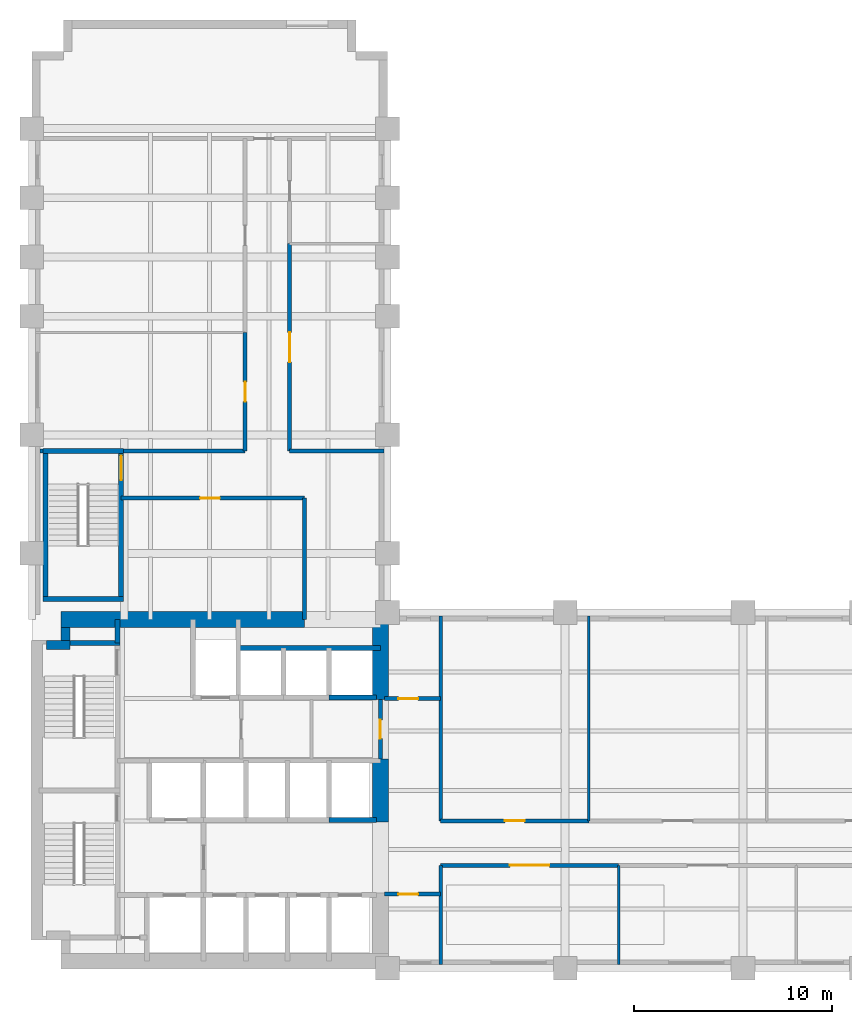
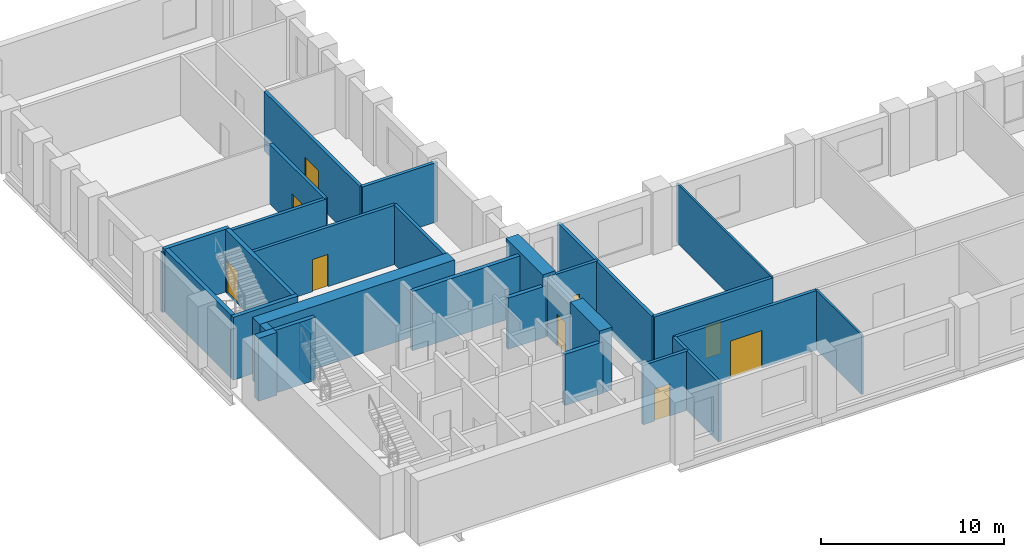
# One storey, part 4 of 7: 30 walls, 9 doors, 9 openings.
"""IFC4 building model written with IfcOpenShell, lengths in metres."""

import ifcopenshell
import ifcopenshell.guid

model = None  # the IFC model being written
_history = None  # IfcOwnerHistory: only IFC2X3 demands one
_inside = {}  # id of a spatial element -> (the spatial element, [elements in it])
_under = {}  # id of a project, library or spatial element -> (it, [spatial elements below it])
_declared = {}  # id of a project -> (the project, [libraries it declares])
_typed = {}  # id of a type object -> (the type object, [elements of that type])
_made_of = {}  # id of a material, layer set ... -> (it, [elements and type objects made of it])


def new_model(schema):
    """Start an empty IFC model of exactly this schema.

    Asked for "IFC4X3", IfcOpenShell would pick the latest addendum, in which some entities
    have other attributes; the version numbers below select the first issue.
    IFC2X3 requires an IfcOwnerHistory on every rooted entity: one is made here for all.
    """
    global model, _history
    if schema == "IFC4X3":
        model = ifcopenshell.file(schema_version=(4, 3, 0, 0))
    else:
        model = ifcopenshell.file(schema=schema)
    _inside.clear()
    _under.clear()
    _declared.clear()
    _typed.clear()
    _made_of.clear()
    _history = None
    if model.schema == "IFC2X3":
        org = make("IfcOrganization", Name="unknown")
        user = make(
            "IfcPersonAndOrganization",
            ThePerson=make("IfcPerson", FamilyName="unknown"),
            TheOrganization=org,
        )
        app = make(
            "IfcApplication",
            ApplicationDeveloper=org,
            Version="unknown",
            ApplicationFullName="unknown",
            ApplicationIdentifier="unknown",
        )
        _history = make(
            "IfcOwnerHistory",
            OwningUser=user,
            OwningApplication=app,
            ChangeAction="ADDED",
            CreationDate=0,
        )
    return model


def make(cls, **values):
    """One entity of the class cls with the attributes given. An attribute that is None is left unset."""
    return model.create_entity(
        cls, **{name: value for name, value in values.items() if value is not None}
    )


def rooted(cls, **values):
    """An entity with a GlobalId (a new one), such as an element, a storey or a relation."""
    return make(cls, GlobalId=ifcopenshell.guid.new(), OwnerHistory=_history, **values)


def si_unit(unit_type, name, prefix=None):
    """IfcSIUnit, for example si_unit("LENGTHUNIT", "METRE", prefix="MILLI")."""
    return make("IfcSIUnit", UnitType=unit_type, Prefix=prefix, Name=name)


def assignment(units):
    """IfcUnitAssignment: the units of a project."""
    return None if units is None else make("IfcUnitAssignment", Units=units)


def point(xyz):
    """IfcCartesianPoint."""
    return None if xyz is None else make("IfcCartesianPoint", Coordinates=xyz)


def direction(xyz):
    """IfcDirection."""
    return None if xyz is None else make("IfcDirection", DirectionRatios=xyz)


def frame(location, z_axis=None, x_axis=None):
    """IfcAxis2Placement3D, a coordinate frame: its origin and axes. An axis left out is left unset."""
    return make(
        "IfcAxis2Placement3D",
        Location=point(location),
        Axis=direction(z_axis),
        RefDirection=direction(x_axis),
    )


def frame_2d(location, x_axis=None):
    """IfcAxis2Placement2D, a coordinate frame in the plane: its origin and x axis."""
    return make(
        "IfcAxis2Placement2D", Location=point(location), RefDirection=direction(x_axis)
    )


def origin():
    """The frame at (0, 0, 0) with its axes left unset."""
    return frame((0.0, 0.0, 0.0))


def place(relative_to, where):
    """IfcLocalPlacement: puts the frame where relative to a parent placement (None: the world)."""
    return make(
        "IfcLocalPlacement", PlacementRelTo=relative_to, RelativePlacement=where
    )


def context(
    kind, dimensions, precision=None, world=None, true_north=None, identifier=None
):
    """IfcGeometricRepresentationContext, for example the 3D "Model" context."""
    return make(
        "IfcGeometricRepresentationContext",
        ContextIdentifier=identifier,
        ContextType=kind,
        CoordinateSpaceDimension=dimensions,
        Precision=precision,
        WorldCoordinateSystem=world,
        TrueNorth=true_north,
    )


def subcontext(parent, identifier, kind, view, scale=None):
    """IfcGeometricRepresentationSubContext, for example "Body" below "Model"."""
    return make(
        "IfcGeometricRepresentationSubContext",
        ContextIdentifier=identifier,
        ContextType=kind,
        ParentContext=parent,
        TargetScale=scale,
        TargetView=view,
    )


def project(units=None, contexts=None):
    """IfcProject with its units and contexts."""
    return rooted(
        "IfcProject",
        Name="project",
        RepresentationContexts=contexts,
        UnitsInContext=assignment(units),
    )


def spatial(cls, under=None, at=None, **own):
    """A site, building, storey or space (cls), placed at a placement, below another one or the project."""
    s = rooted(cls, ObjectPlacement=at, **own)
    if under is not None:
        _under.setdefault(under.id(), (under, []))[1].append(s)
    return s


def profile(cls, at=None, kind="AREA", **sizes):
    """A parametric profile (cls). Its sizes go by their IFC names, for example OverallWidth=200.0."""
    return make(cls, ProfileType=kind, Position=at, **sizes)


def rectangle(**sizes):
    """IfcRectangleProfileDef."""
    return profile("IfcRectangleProfileDef", **sizes)


def extrude(swept, where, along, depth):
    """IfcExtrudedAreaSolid: the profile swept, set in the frame where, extruded along a direction by depth."""
    return make(
        "IfcExtrudedAreaSolid",
        SweptArea=swept,
        Position=where,
        ExtrudedDirection=direction(along),
        Depth=depth,
    )


def shape(context_of_items, identifier, shape_type, items):
    """IfcShapeRepresentation: the items that make up one representation, for example the "Body"."""
    return make(
        "IfcShapeRepresentation",
        ContextOfItems=context_of_items,
        RepresentationIdentifier=identifier,
        RepresentationType=shape_type,
        Items=items,
    )


def material(Name=None, Category=None):
    """IfcMaterial."""
    return make("IfcMaterial", Name=Name, Category=Category)


def layer(
    of_material, thickness, ventilated=None, Name=None, Category=None, Priority=None
):
    """IfcMaterialLayer: one layer of a wall or slab, of a material (None: an air gap)."""
    return make(
        "IfcMaterialLayer",
        Material=of_material,
        LayerThickness=thickness,
        IsVentilated=ventilated,
        Name=Name,
        Category=Category,
        Priority=Priority,
    )


def layer_set(layers, Name=None):
    """IfcMaterialLayerSet."""
    return make("IfcMaterialLayerSet", MaterialLayers=layers, LayerSetName=Name)


def made_of(thing, what):
    """Note that an element or type object is made of a material, layer set ...; save() writes the relation."""
    if what is not None:
        _made_of.setdefault(what.id(), (what, []))[1].append(thing)
    return thing


def type_object(cls, material=None, **own):
    """A type object (cls), such as IfcWallType, which elements share."""
    return made_of(rooted(cls, **own), material)


def element(
    cls,
    number,
    at=None,
    inside=None,
    cuts=None,
    type_object=None,
    material=None,
    context=None,
    identifier="Body",
    shape_type=None,
    held_by="IfcProductDefinitionShape",
    body=None,
    shapes=None,
    **own,
):
    """One element of the class cls, such as IfcWall. Its Tag is "e" and its number.

    at: its placement. inside: the storey or other place that contains it. cuts: it is an
    opening in that element (IfcRelVoidsElement). A single representation is given by context,
    identifier, shape_type and body (its items); several are given by shapes. held_by: the class
    of the entity that holds the representations. save() writes the other relations.
    """
    e = rooted(cls, Tag="e%d" % number, ObjectPlacement=at, **own)
    if body is not None:
        shapes = [shape(context, identifier, shape_type, body)]
    if shapes is not None:
        e.Representation = make(held_by, Representations=shapes)
    if inside is not None:
        _inside.setdefault(inside.id(), (inside, []))[1].append(e)
    if cuts is not None:
        rooted(
            "IfcRelVoidsElement", RelatingBuildingElement=cuts, RelatedOpeningElement=e
        )
    if type_object is not None:
        _typed.setdefault(type_object.id(), (type_object, []))[1].append(e)
    return made_of(e, material)


def fill(opening, filler):
    """IfcRelFillsElement: the door or window that sits in an opening."""
    return rooted(
        "IfcRelFillsElement",
        RelatingOpeningElement=opening,
        RelatedBuildingElement=filler,
    )


def aggregate(whole, parts):
    """IfcRelAggregates: a whole, such as a stair, and the parts it consists of."""
    return rooted("IfcRelAggregates", RelatingObject=whole, RelatedObjects=parts)


def save(model, path):
    """Write the relations noted so far, then the file.

    IfcRelAggregates (storeys below a building ...), IfcRelContainedInSpatialStructure (elements
    in a storey), IfcRelDefinesByType, IfcRelAssociatesMaterial and IfcRelDeclares: one each for
    every whole, place, type object, material and project.
    """
    for whole, parts in _under.values():
        aggregate(whole, parts)
    for where, things in _inside.values():
        rooted(
            "IfcRelContainedInSpatialStructure",
            RelatedElements=things,
            RelatingStructure=where,
        )
    for kind, things in _typed.values():
        rooted("IfcRelDefinesByType", RelatedObjects=things, RelatingType=kind)
    for what, things in _made_of.values():
        rooted("IfcRelAssociatesMaterial", RelatedObjects=things, RelatingMaterial=what)
    for by, libraries in _declared.values():
        rooted("IfcRelDeclares", RelatingContext=by, RelatedDefinitions=libraries)
    model.write(path)


model = new_model("IFC4")

# Units and contexts
model_context = context("Model", 3, precision=1e-05, world=origin(), true_north=direction((0.0, 1.0)))
body_context = subcontext(model_context, "Body", "Model", "MODEL_VIEW")
ifc_project = project(units=[si_unit("LENGTHUNIT", "METRE"), si_unit("AREAUNIT", "SQUARE_METRE"), si_unit("VOLUMEUNIT", "CUBIC_METRE"), si_unit("PLANEANGLEUNIT", "RADIAN"), si_unit("MASSUNIT", "GRAM", prefix="KILO")], contexts=[model_context])

# Site, building, storey
site_placement = place(None, origin())
site = spatial("IfcSite", under=ifc_project, at=site_placement, CompositionType="ELEMENT")
building_placement = place(site_placement, origin())
building = spatial("IfcBuilding", under=site, at=building_placement, Name="Mawjdan Bourse Tower", CompositionType="ELEMENT")
storey_placement = place(building_placement, frame((0.0, 0.0, 34.199951171875)))
storey = spatial("IfcBuildingStorey", under=building, at=storey_placement, Name="L07", CompositionType="ELEMENT", Elevation=34.199951171875)

# Wall, opening, door
ifc_material_1 = material(Name="Gypsum Fireboard Assembly")
ifc_layer_1 = layer(ifc_material_1, 0.199951171875)
ifc_layer_set_1 = layer_set([ifc_layer_1], Name="Gypsum Fireboard Assembly")
wall_type_1 = type_object("IfcWallType", Name="WL-CMP-200", PredefinedType="PARTITIONING", material=ifc_layer_set_1)
wall_1_placement = place(storey_placement, frame((23.64990234375, 13.60009765625, 0.0), z_axis=(0.0, 0.0, 1.0), x_axis=(0.0, 1.0, 0.0)))
wall_1 = element("IfcWall", 1, at=wall_1_placement, inside=storey, type_object=wall_type_1, Name="L07 Core Restroom East Enclosing Wall", PredefinedType="PARTITIONING", context=body_context, shape_type="SweptSolid", body=[
    extrude(rectangle(XDim=3.0, YDim=0.199951171875, at=frame_2d((1.5, 0.0))), origin(), (0.0, 0.0, 1.0), 3.969970703125),
])
opening_1_placement = place(wall_1_placement, frame((1.02001953125, 0.0, 0.0)))
opening_1 = element("IfcOpeningElement", 2, at=opening_1_placement, cuts=wall_1, Name="Opening D-L07-15", PredefinedType="OPENING", context=body_context, shape_type="SweptSolid", body=[
    extrude(rectangle(XDim=0.949951171875, YDim=2.10009765625, at=frame_2d((0.47509765625, 1.050048828125))), frame((0.0, 0.10986328125, 0.0), z_axis=(0.0, -1.0, 0.0), x_axis=(1.0, 0.0, 0.0)), (0.0, 0.0, 1.0), 0.219970703125),
])
ifc_material_2 = material(Name="Moisture-Resistant Laminate Timber", Category="wood")
door_type_1 = type_object("IfcDoorType", Name="DR-WET-0950", OperationType="NOTDEFINED", PredefinedType="DOOR", material=ifc_material_2)
door_1_placement = place(opening_1_placement, origin())
door_1 = element("IfcDoor", 3, at=door_1_placement, inside=storey, type_object=door_type_1, Name="L07 Accessible WC East Entry Door D-L07-15", OperationType="SINGLE_SWING_LEFT", OverallHeight=2.10009765625, OverallWidth=0.949951171875, PredefinedType="DOOR", context=body_context, shape_type="SweptSolid", body=[
    extrude(rectangle(XDim=0.949951171875, YDim=2.10009765625, at=frame_2d((0.47509765625, 1.050048828125))), frame((0.0, 0.02490234375, 0.0), z_axis=(0.0, -1.0, 0.0), x_axis=(1.0, 0.0, 0.0)), (0.0, 0.0, 1.0), 0.050048828125),
])
fill(opening_1, door_1)

wall_2_placement = place(storey_placement, frame((23.85009765625, 6.75, 0.0), z_axis=(0.0, 0.0, 1.0), x_axis=(1.0, 0.0, 0.0)))
wall_2 = element("IfcWall", 4, at=wall_2_placement, inside=storey, type_object=wall_type_1, Name="L07 West Pocket North Wall", PredefinedType="PARTITIONING", context=body_context, shape_type="SweptSolid", body=[
    extrude(rectangle(XDim=2.849853515625, YDim=0.199951171875, at=frame_2d((1.4248046875, 0.0))), origin(), (0.0, 0.0, 1.0), 3.969970703125),
])
opening_2_placement = place(wall_2_placement, frame((0.699951171875, 0.0, 0.0)))
opening_2 = element("IfcOpeningElement", 5, at=opening_2_placement, cuts=wall_2, Name="Opening D-L07-17", PredefinedType="OPENING", context=body_context, shape_type="SweptSolid", body=[
    extrude(rectangle(XDim=1.0, YDim=2.14990234375, at=frame_2d((0.5, 1.074951171875))), frame((0.0, 0.10986328125, 0.0), z_axis=(0.0, -1.0, 0.0), x_axis=(1.0, 0.0, 0.0)), (0.0, 0.0, 1.0), 0.219970703125),
])
ifc_material_3 = material(Name="Hardwood Acoustic Leaf", Category="wood")
door_type_2 = type_object("IfcDoorType", Name="DR-OFC-1000", OperationType="NOTDEFINED", PredefinedType="DOOR", material=ifc_material_3)
door_2_placement = place(opening_2_placement, origin())
door_2 = element("IfcDoor", 6, at=door_2_placement, inside=storey, type_object=door_type_2, Name="L07 West Pocket Office Door D-L07-17", OperationType="SINGLE_SWING_LEFT", OverallHeight=2.14990234375, OverallWidth=1.0, PredefinedType="DOOR", context=body_context, shape_type="SweptSolid", body=[
    extrude(rectangle(XDim=1.0, YDim=2.14990234375, at=frame_2d((0.5, 1.074951171875))), frame((0.0, 0.02490234375, 0.0), z_axis=(0.0, -1.0, 0.0), x_axis=(1.0, 0.0, 0.0)), (0.0, 0.0, 1.0), 0.050048828125),
])
fill(opening_2, door_2)

wall_3_placement = place(storey_placement, frame((23.85009765625, 16.64990234375, 0.0), z_axis=(0.0, 0.0, 1.0), x_axis=(1.0, 0.0, 0.0)))
wall_3 = element("IfcWall", 7, at=wall_3_placement, inside=storey, type_object=wall_type_1, Name="L07 West North Pocket Wall", PredefinedType="PARTITIONING", context=body_context, shape_type="SweptSolid", body=[
    extrude(rectangle(XDim=2.849853515625, YDim=0.199951171875, at=frame_2d((1.4248046875, 0.0))), origin(), (0.0, 0.0, 1.0), 3.969970703125),
])
opening_3_placement = place(wall_3_placement, frame((0.699951171875, 0.0, 0.0)))
opening_3 = element("IfcOpeningElement", 8, at=opening_3_placement, cuts=wall_3, Name="Opening D-L07-18", PredefinedType="OPENING", context=body_context, shape_type="SweptSolid", body=[
    extrude(rectangle(XDim=1.0, YDim=2.14990234375, at=frame_2d((0.5, 1.074951171875))), frame((0.0, 0.10986328125, 0.0), z_axis=(0.0, -1.0, 0.0), x_axis=(1.0, 0.0, 0.0)), (0.0, 0.0, 1.0), 0.219970703125),
])
door_3_placement = place(opening_3_placement, origin())
door_3 = element("IfcDoor", 9, at=door_3_placement, inside=storey, type_object=door_type_2, Name="L07 West North Pocket Door D-L07-18", OperationType="SINGLE_SWING_RIGHT", OverallHeight=2.14990234375, OverallWidth=1.0, PredefinedType="DOOR", context=body_context, shape_type="SweptSolid", body=[
    extrude(rectangle(XDim=1.0, YDim=2.14990234375, at=frame_2d((0.5, 1.074951171875))), frame((0.0, 0.02490234375, 0.0), z_axis=(0.0, -1.0, 0.0), x_axis=(1.0, 0.0, 0.0)), (0.0, 0.0, 1.0), 0.050048828125),
])
fill(opening_3, door_3)

# Walls
wall_4_placement = place(storey_placement, frame((26.699951171875, 3.179931640625, 0.0), z_axis=(0.0, 0.0, 1.0), x_axis=(0.0, 1.0, 0.0)))
element("IfcWall", 10, at=wall_4_placement, inside=storey, type_object=wall_type_1, Name="L07 Vestibule South East Wall", PredefinedType="PARTITIONING", context=body_context, shape_type="SweptSolid", body=[
    extrude(rectangle(XDim=5.02001953125, YDim=0.199951171875, at=frame_2d((2.510009765625, 0.0))), origin(), (0.0, 0.0, 1.0), 3.969970703125),
])
wall_5_placement = place(storey_placement, frame((26.699951171875, 10.449951171875, 0.0), z_axis=(0.0, 0.0, 1.0), x_axis=(0.0, 1.0, 0.0)))
element("IfcWall", 11, at=wall_5_placement, inside=storey, type_object=wall_type_1, Name="L07 Vestibule North East Wall", PredefinedType="PARTITIONING", context=body_context, shape_type="SweptSolid", body=[
    extrude(rectangle(XDim=10.3701171875, YDim=0.199951171875, at=frame_2d((5.18505859375, 0.0))), origin(), (0.0, 0.0, 1.0), 3.969970703125),
])

# Wall, opening, door
wall_6_placement = place(storey_placement, frame((26.699951171875, 8.199951171875, 0.0), z_axis=(0.0, 0.0, 1.0), x_axis=(1.0, 0.0, 0.0)))
wall_6 = element("IfcWall", 12, at=wall_6_placement, inside=storey, type_object=wall_type_1, Name="L07 Trading Floor Corridor Wall", PredefinedType="PARTITIONING", context=body_context, shape_type="SweptSolid", body=[
    extrude(rectangle(XDim=9.0, YDim=0.199951171875, at=frame_2d((4.5, 0.0))), origin(), (0.0, 0.0, 1.0), 3.969970703125),
])
opening_4_placement = place(wall_6_placement, frame((3.5, 0.0, 0.0)))
opening_4 = element("IfcOpeningElement", 13, at=opening_4_placement, cuts=wall_6, Name="Opening D-L07-19", PredefinedType="OPENING", context=body_context, shape_type="SweptSolid", body=[
    extrude(rectangle(XDim=2.0, YDim=2.5, at=frame_2d((1.0, 1.25))), frame((0.0, 0.10986328125, 0.0), z_axis=(0.0, -1.0, 0.0), x_axis=(1.0, 0.0, 0.0)), (0.0, 0.0, 1.0), 0.219970703125),
])
ifc_material_4 = material(Name="Acoustic Veneered Timber", Category="wood")
door_type_3 = type_object("IfcDoorType", Name="DR-ASM-2000", OperationType="DOUBLE_DOOR_SINGLE_SWING", PredefinedType="DOOR", material=ifc_material_4)
door_4_placement = place(opening_4_placement, origin())
door_4 = element("IfcDoor", 14, at=door_4_placement, inside=storey, type_object=door_type_3, Name="L07 Trading Floor Door D-L07-19", OperationType="DOUBLE_DOOR_SINGLE_SWING", OverallHeight=2.5, OverallWidth=2.0, PredefinedType="DOOR", context=body_context, shape_type="SweptSolid", body=[
    extrude(rectangle(XDim=2.0, YDim=2.5, at=frame_2d((1.0, 1.25))), frame((0.0, 0.02490234375, 0.0), z_axis=(0.0, -1.0, 0.0), x_axis=(1.0, 0.0, 0.0)), (0.0, 0.0, 1.0), 0.050048828125),
])
fill(opening_4, door_4)

wall_7_placement = place(storey_placement, frame((26.699951171875, 10.449951171875, 0.0), z_axis=(0.0, 0.0, 1.0), x_axis=(1.0, 0.0, 0.0)))
wall_7 = element("IfcWall", 15, at=wall_7_placement, inside=storey, type_object=wall_type_1, Name="L07 Executive Office Corridor Wall", PredefinedType="PARTITIONING", context=body_context, shape_type="SweptSolid", body=[
    extrude(rectangle(XDim=7.5, YDim=0.199951171875, at=frame_2d((3.75, 0.0))), origin(), (0.0, 0.0, 1.0), 3.969970703125),
])
opening_5_placement = place(wall_7_placement, frame((3.25, 0.0, 0.0)))
opening_5 = element("IfcOpeningElement", 16, at=opening_5_placement, cuts=wall_7, Name="Opening D-L07-22", PredefinedType="OPENING", context=body_context, shape_type="SweptSolid", body=[
    extrude(rectangle(XDim=1.0, YDim=2.14990234375, at=frame_2d((0.5, 1.074951171875))), frame((0.0, 0.10986328125, 0.0), z_axis=(0.0, -1.0, 0.0), x_axis=(1.0, 0.0, 0.0)), (0.0, 0.0, 1.0), 0.219970703125),
])
door_5_placement = place(opening_5_placement, origin())
door_5 = element("IfcDoor", 17, at=door_5_placement, inside=storey, type_object=door_type_2, Name="L07 Executive Office Door D-L07-22", OperationType="SINGLE_SWING_RIGHT", OverallHeight=2.14990234375, OverallWidth=1.0, PredefinedType="DOOR", context=body_context, shape_type="SweptSolid", body=[
    extrude(rectangle(XDim=1.0, YDim=2.14990234375, at=frame_2d((0.5, 1.074951171875))), frame((0.0, 0.02490234375, 0.0), z_axis=(0.0, -1.0, 0.0), x_axis=(1.0, 0.0, 0.0)), (0.0, 0.0, 1.0), 0.050048828125),
])
fill(opening_5, door_5)

wall_8_placement = place(storey_placement, frame((10.52001953125, 26.800048828125, 0.0), z_axis=(0.0, 0.0, 1.0), x_axis=(1.0, 0.0, 0.0)))
wall_8 = element("IfcWall", 18, at=wall_8_placement, inside=storey, type_object=wall_type_1, Name="L07 North Throat North Wall", PredefinedType="PARTITIONING", context=body_context, shape_type="SweptSolid", body=[
    extrude(rectangle(XDim=9.280029296875, YDim=0.199951171875, at=frame_2d((4.64013671875, 0.0))), origin(), (0.0, 0.0, 1.0), 3.969970703125),
])
opening_6_placement = place(wall_8_placement, frame((4.0, 0.0, 0.0)))
opening_6 = element("IfcOpeningElement", 19, at=opening_6_placement, cuts=wall_8, Name="Opening D-L07-27", PredefinedType="OPENING", context=body_context, shape_type="SweptSolid", body=[
    extrude(rectangle(XDim=1.0, YDim=2.14990234375, at=frame_2d((0.5, 1.074951171875))), frame((0.0, 0.10986328125, 0.0), z_axis=(0.0, -1.0, 0.0), x_axis=(1.0, 0.0, 0.0)), (0.0, 0.0, 1.0), 0.219970703125),
])
door_6_placement = place(opening_6_placement, origin())
door_6 = element("IfcDoor", 20, at=door_6_placement, inside=storey, type_object=door_type_2, Name="L07 North Throat Suite Door D-L07-27", OperationType="SINGLE_SWING_RIGHT", OverallHeight=2.14990234375, OverallWidth=1.0, PredefinedType="DOOR", context=body_context, shape_type="SweptSolid", body=[
    extrude(rectangle(XDim=1.0, YDim=2.14990234375, at=frame_2d((0.5, 1.074951171875))), frame((0.0, 0.02490234375, 0.0), z_axis=(0.0, -1.0, 0.0), x_axis=(1.0, 0.0, 0.0)), (0.0, 0.0, 1.0), 0.050048828125),
])
fill(opening_6, door_6)

# Walls
wall_9_placement = place(storey_placement, frame((19.800048828125, 20.64990234375, 0.0), z_axis=(0.0, 0.0, 1.0), x_axis=(0.0, 1.0, 0.0)))
element("IfcWall", 21, at=wall_9_placement, inside=storey, type_object=wall_type_1, Name="L07 North Throat East Wall", PredefinedType="PARTITIONING", context=body_context, shape_type="SweptSolid", body=[
    extrude(rectangle(XDim=6.150146484375, YDim=0.199951171875, at=frame_2d((3.0751953125, 0.0))), origin(), (0.0, 0.0, 1.0), 3.969970703125),
])
wall_10_placement = place(storey_placement, frame((6.419921875, 29.179931640625, 0.0), z_axis=(0.0, 0.0, 1.0), x_axis=(1.0, 0.0, 0.0)))
element("IfcWall", 22, at=wall_10_placement, inside=storey, type_object=wall_type_1, Name="L07 North West Band ST3 West Return", PredefinedType="PARTITIONING", context=body_context, shape_type="SweptSolid", body=[
    extrude(rectangle(XDim=0.135009765625, YDim=0.199951171875, at=frame_2d((0.0673828125, 0.0))), origin(), (0.0, 0.0, 1.0), 3.969970703125),
])
wall_11_placement = place(storey_placement, frame((10.6298828125, 29.179931640625, 0.0), z_axis=(0.0, 0.0, 1.0), x_axis=(1.0, 0.0, 0.0)))
element("IfcWall", 23, at=wall_11_placement, inside=storey, type_object=wall_type_1, Name="L07 North West Band South Wall", PredefinedType="PARTITIONING", context=body_context, shape_type="SweptSolid", body=[
    extrude(rectangle(XDim=6.170166015625, YDim=0.199951171875, at=frame_2d((3.0849609375, 0.0))), origin(), (0.0, 0.0, 1.0), 3.969970703125),
])
wall_12_placement = place(storey_placement, frame((19.050048828125, 29.179931640625, 0.0), z_axis=(0.0, 0.0, 1.0), x_axis=(1.0, 0.0, 0.0)))
element("IfcWall", 24, at=wall_12_placement, inside=storey, type_object=wall_type_1, Name="L07 North East Band South Wall", PredefinedType="PARTITIONING", context=body_context, shape_type="SweptSolid", body=[
    extrude(rectangle(XDim=4.77001953125, YDim=0.199951171875, at=frame_2d((2.385009765625, 0.0))), origin(), (0.0, 0.0, 1.0), 3.969970703125),
])

# Wall, opening, door
wall_13_placement = place(storey_placement, frame((16.800048828125, 29.179931640625, 0.0), z_axis=(0.0, 0.0, 1.0), x_axis=(0.0, 1.0, 0.0)))
wall_13 = element("IfcWall", 25, at=wall_13_placement, inside=storey, type_object=wall_type_1, Name="L07 Derivatives Dealing Hall Corridor Wall", PredefinedType="PARTITIONING", context=body_context, shape_type="SweptSolid", body=[
    extrude(rectangle(XDim=6.0, YDim=0.199951171875, at=frame_2d((3.0, 0.0))), origin(), (0.0, 0.0, 1.0), 3.969970703125),
])
opening_7_placement = place(wall_13_placement, frame((2.5, 0.0, 0.0)))
opening_7 = element("IfcOpeningElement", 26, at=opening_7_placement, cuts=wall_13, Name="Opening D-L07-28", PredefinedType="OPENING", context=body_context, shape_type="SweptSolid", body=[
    extrude(rectangle(XDim=1.0, YDim=2.14990234375, at=frame_2d((0.5, 1.074951171875))), frame((0.0, 0.10986328125, 0.0), z_axis=(0.0, -1.0, 0.0), x_axis=(1.0, 0.0, 0.0)), (0.0, 0.0, 1.0), 0.219970703125),
])
door_7_placement = place(opening_7_placement, origin())
door_7 = element("IfcDoor", 27, at=door_7_placement, inside=storey, type_object=door_type_2, Name="L07 Derivatives Dealing Hall Door D-L07-28", OperationType="SINGLE_SWING_LEFT", OverallHeight=2.14990234375, OverallWidth=1.0, PredefinedType="DOOR", context=body_context, shape_type="SweptSolid", body=[
    extrude(rectangle(XDim=1.0, YDim=2.14990234375, at=frame_2d((0.5, 1.074951171875))), frame((0.0, 0.02490234375, 0.0), z_axis=(0.0, -1.0, 0.0), x_axis=(1.0, 0.0, 0.0)), (0.0, 0.0, 1.0), 0.050048828125),
])
fill(opening_7, door_7)

wall_14_placement = place(storey_placement, frame((19.050048828125, 29.179931640625, 0.0), z_axis=(0.0, 0.0, 1.0), x_axis=(0.0, 1.0, 0.0)))
wall_14 = element("IfcWall", 28, at=wall_14_placement, inside=storey, type_object=wall_type_1, Name="L07 Conference Room Corridor Wall", PredefinedType="PARTITIONING", context=body_context, shape_type="SweptSolid", body=[
    extrude(rectangle(XDim=10.5, YDim=0.199951171875, at=frame_2d((5.25, 0.0))), origin(), (0.0, 0.0, 1.0), 3.969970703125),
])
opening_8_placement = place(wall_14_placement, frame((4.5, 0.0, 0.0)))
opening_8 = element("IfcOpeningElement", 29, at=opening_8_placement, cuts=wall_14, Name="Opening D-L07-30", PredefinedType="OPENING", context=body_context, shape_type="SweptSolid", body=[
    extrude(rectangle(XDim=1.5, YDim=2.300048828125, at=frame_2d((0.75, 1.14990234375))), frame((0.0, 0.10986328125, 0.0), z_axis=(0.0, -1.0, 0.0), x_axis=(1.0, 0.0, 0.0)), (0.0, 0.0, 1.0), 0.219970703125),
])
ifc_material_5 = material(Name="Acoustic Glazed Timber", Category="wood")
door_type_4 = type_object("IfcDoorType", Name="DR-CNF-1500", OperationType="DOUBLE_DOOR_SINGLE_SWING", PredefinedType="DOOR", material=ifc_material_5)
door_8_placement = place(opening_8_placement, origin())
door_8 = element("IfcDoor", 30, at=door_8_placement, inside=storey, type_object=door_type_4, Name="L07 Conference Room Door D-L07-30", OperationType="DOUBLE_DOOR_SINGLE_SWING", OverallHeight=2.300048828125, OverallWidth=1.5, PredefinedType="DOOR", context=body_context, shape_type="SweptSolid", body=[
    extrude(rectangle(XDim=1.5, YDim=2.300048828125, at=frame_2d((0.75, 1.14990234375))), frame((0.0, 0.02490234375, 0.0), z_axis=(0.0, -1.0, 0.0), x_axis=(1.0, 0.0, 0.0)), (0.0, 0.0, 1.0), 0.050048828125),
])
fill(opening_8, door_8)

# Walls
ifc_material_6 = material(Name="Concrete C60/75", Category="concrete")
ifc_layer_2 = layer(ifc_material_6, 0.449951171875)
ifc_layer_set_2 = layer_set([ifc_layer_2], Name="Concrete C60/75")
wall_type_2 = type_object("IfcWallType", Name="WL-CORE-450", PredefinedType="SHEAR", material=ifc_layer_set_2)
wall_15_placement = place(storey_placement, frame((6.75, 19.35009765625, 0.0), z_axis=(0.0, 0.0, 1.0), x_axis=(1.0, 0.0, 0.0)))
element("IfcWall", 31, at=wall_15_placement, inside=storey, type_object=wall_type_2, Name="L07 Rear Core Shear Wall NW-X", PredefinedType="SHEAR", context=body_context, shape_type="SweptSolid", body=[
    extrude(rectangle(XDim=1.175048828125, YDim=0.449951171875, at=frame_2d((0.58740234375, 0.0))), origin(), (0.0, 0.0, 1.0), 4.199951171875),
])
wall_16_placement = place(storey_placement, frame((7.699951171875, 19.574951171875, 0.0), z_axis=(0.0, 0.0, 1.0), x_axis=(0.0, 1.0, 0.0)))
element("IfcWall", 32, at=wall_16_placement, inside=storey, type_object=wall_type_2, Name="L07 Rear Core Shear Wall NW-Y", PredefinedType="SHEAR", context=body_context, shape_type="SweptSolid", body=[
    extrude(rectangle(XDim=0.675048828125, YDim=0.449951171875, at=frame_2d((0.33740234375, 0.0))), origin(), (0.0, 0.0, 1.0), 4.199951171875),
])
ifc_material_7 = material(Name="Concrete C80/95", Category="concrete")
ifc_layer_3 = layer(ifc_material_7, 0.800048828125)
ifc_layer_set_3 = layer_set([ifc_layer_3], Name="Concrete C80/95")
wall_type_3 = type_object("IfcWallType", Name="WL-CORE-800", PredefinedType="SHEAR", material=ifc_layer_set_3)
wall_17_placement = place(storey_placement, frame((7.47509765625, 20.64990234375, 0.0), z_axis=(0.0, 0.0, 1.0), x_axis=(1.0, 0.0, 0.0)))
element("IfcWall", 33, at=wall_17_placement, inside=storey, type_object=wall_type_3, Name="L07 Rear Core Shear Wall N", PredefinedType="SHEAR", context=body_context, shape_type="SweptSolid", body=[
    extrude(rectangle(XDim=12.324951171875, YDim=0.800048828125, at=frame_2d((6.16259765625, 0.0))), origin(), (0.0, 0.0, 1.0), 4.199951171875),
])
wall_18_placement = place(storey_placement, frame((23.64990234375, 10.39990234375, 0.0), z_axis=(0.0, 0.0, 1.0), x_axis=(0.0, 1.0, 0.0)))
element("IfcWall", 34, at=wall_18_placement, inside=storey, type_object=wall_type_3, Name="L07 Rear Core Shear Wall E2", PredefinedType="SHEAR", context=body_context, shape_type="SweptSolid", body=[
    extrude(rectangle(XDim=3.2001953125, YDim=0.800048828125, at=frame_2d((1.60009765625, 0.0))), origin(), (0.0, 0.0, 1.0), 4.199951171875),
])
wall_19_placement = place(storey_placement, frame((23.64990234375, 16.60009765625, 0.0), z_axis=(0.0, 0.0, 1.0), x_axis=(0.0, 1.0, 0.0)))
element("IfcWall", 35, at=wall_19_placement, inside=storey, type_object=wall_type_3, Name="L07 Rear Core Shear Wall E3", PredefinedType="SHEAR", context=body_context, shape_type="SweptSolid", body=[
    extrude(rectangle(XDim=4.0498046875, YDim=0.800048828125, at=frame_2d((2.02490234375, 0.0))), origin(), (0.0, 0.0, 1.0), 4.199951171875),
])
ifc_material_8 = material(Name="Gypsum Partition")
ifc_layer_4 = layer(ifc_material_8, 0.125)
ifc_layer_set_4 = layer_set([ifc_layer_4], Name="Gypsum Partition")
wall_type_4 = type_object("IfcWallType", Name="WL-PRT-125", PredefinedType="PARTITIONING", material=ifc_layer_set_4)
wall_20_placement = place(storey_placement, frame((35.699951171875, 3.179931640625, 0.0), z_axis=(0.0, 0.0, 1.0), x_axis=(0.0, 1.0, 0.0)))
element("IfcWall", 36, at=wall_20_placement, inside=storey, type_object=wall_type_4, Name="L07 Derivatives Dealing Hall Partition", PredefinedType="PARTITIONING", context=body_context, shape_type="SweptSolid", body=[
    extrude(rectangle(XDim=5.02001953125, YDim=0.125, at=frame_2d((2.510009765625, 0.0))), origin(), (0.0, 0.0, 1.0), 3.969970703125),
])
wall_21_placement = place(storey_placement, frame((34.199951171875, 10.449951171875, 0.0), z_axis=(0.0, 0.0, 1.0), x_axis=(0.0, 1.0, 0.0)))
element("IfcWall", 37, at=wall_21_placement, inside=storey, type_object=wall_type_4, Name="L07 Conference Room Partition", PredefinedType="PARTITIONING", context=body_context, shape_type="SweptSolid", body=[
    extrude(rectangle(XDim=10.3701171875, YDim=0.125, at=frame_2d((5.18505859375, 0.0))), origin(), (0.0, 0.0, 1.0), 3.969970703125),
])
ifc_material_9 = material(Name="Concrete C50/60", Category="concrete")
ifc_layer_5 = layer(ifc_material_9, 0.25)
ifc_layer_set_5 = layer_set([ifc_layer_5], Name="Concrete C50/60")
wall_type_5 = type_object("IfcWallType", Name="WL-SHFT-250", PredefinedType="PARTITIONING", material=ifc_layer_set_5)
wall_22_placement = place(storey_placement, frame((10.330078125, 19.449951171875, 0.0), z_axis=(0.0, 0.0, 1.0), x_axis=(0.0, 1.0, 0.0)))
element("IfcWall", 38, at=wall_22_placement, inside=storey, type_object=wall_type_5, Name="L07 NW Riser East Wall", PredefinedType="PARTITIONING", context=body_context, shape_type="SweptSolid", body=[
    extrude(rectangle(XDim=1.199951171875, YDim=0.25, at=frame_2d((0.60009765625, 0.0))), origin(), (0.0, 0.0, 1.0), 3.114013671875),
])
wall_23_placement = place(storey_placement, frame((21.050048828125, 16.699951171875, 0.0), z_axis=(0.0, 0.0, 1.0), x_axis=(1.0, 0.0, 0.0)))
element("IfcWall", 39, at=wall_23_placement, inside=storey, type_object=wall_type_5, Name="L07 PH-03 Front Wall", PredefinedType="PARTITIONING", context=body_context, shape_type="SweptSolid", body=[
    extrude(rectangle(XDim=2.39990234375, YDim=0.25, at=frame_2d((1.199951171875, 0.0))), origin(), (0.0, 0.0, 1.0), 3.426025390625),
])
wall_24_placement = place(storey_placement, frame((16.449951171875, 19.199951171875, 0.0), z_axis=(0.0, 0.0, 1.0), x_axis=(1.0, 0.0, 0.0)))
element("IfcWall", 40, at=wall_24_placement, inside=storey, type_object=wall_type_5, Name="L07 PH Bank North Shaft Back Wall", PredefinedType="PARTITIONING", context=body_context, shape_type="SweptSolid", body=[
    extrude(rectangle(XDim=7.199951171875, YDim=0.25, at=frame_2d((3.60009765625, 0.0))), origin(), (0.0, 0.0, 1.0), 3.969970703125),
])
wall_25_placement = place(storey_placement, frame((21.050048828125, 10.5, 0.0), z_axis=(0.0, 0.0, 1.0), x_axis=(1.0, 0.0, 0.0)))
element("IfcWall", 41, at=wall_25_placement, inside=storey, type_object=wall_type_5, Name="L07 PM-04 Front Wall", PredefinedType="PARTITIONING", context=body_context, shape_type="SweptSolid", body=[
    extrude(rectangle(XDim=2.39990234375, YDim=0.25, at=frame_2d((1.199951171875, 0.0))), origin(), (0.0, 0.0, 1.0), 3.426025390625),
])
ifc_layer_6 = layer(ifc_material_9, 0.25)
ifc_layer_set_6 = layer_set([ifc_layer_6], Name="Concrete C50/60")
wall_type_6 = type_object("IfcWallType", Name="WL-STRW-250", PredefinedType="SHEAR", material=ifc_layer_set_6)
wall_26_placement = place(storey_placement, frame((7.699951171875, 19.449951171875, 0.0), z_axis=(0.0, 0.0, 1.0), x_axis=(1.0, 0.0, 0.0)))
element("IfcWall", 42, at=wall_26_placement, inside=storey, type_object=wall_type_6, Name="L07 Stairwell ST2 North Shaft Wall", PredefinedType="SHEAR", context=body_context, shape_type="SweptSolid", body=[
    extrude(rectangle(XDim=2.755126953125, YDim=0.25, at=frame_2d((1.37744140625, 0.0))), origin(), (0.0, 0.0, 1.0), 4.199951171875),
])
for number, where, z_axis, x_axis, name in (
    (43, (6.554931640625, 21.679931640625, 0.0), (0.0, 0.0, 1.0), (1.0, 0.0, 0.0), "L07 ST3 South Shaft Wall"),
    (44, (6.554931640625, 29.179931640625, 0.0), (0.0, 0.0, 1.0), (1.0, 0.0, 0.0), "L07 ST3 North Shaft Wall"),
):
    element("IfcWall", number, at=place(storey_placement, frame(where, z_axis=z_axis, x_axis=x_axis)), inside=storey, type_object=wall_type_6, Name=name, PredefinedType="SHEAR", context=body_context, shape_type="SweptSolid", body=[
        extrude(rectangle(XDim=4.090087890625, YDim=0.25, at=frame_2d((2.044921875, 0.0))), origin(), (0.0, 0.0, 1.0), 4.199951171875),
    ])
wall_27_placement = place(storey_placement, frame((6.679931640625, 21.679931640625, 0.0), z_axis=(0.0, 0.0, 1.0), x_axis=(0.0, 1.0, 0.0)))
element("IfcWall", 45, at=wall_27_placement, inside=storey, type_object=wall_type_6, Name="L07 ST3 West Shaft Wall", PredefinedType="SHEAR", context=body_context, shape_type="SweptSolid", body=[
    extrude(rectangle(XDim=7.5, YDim=0.25, at=frame_2d((3.75, 0.0))), origin(), (0.0, 0.0, 1.0), 4.199951171875),
])

# Wall, opening, door
wall_28_placement = place(storey_placement, frame((10.52001953125, 21.679931640625, 0.0), z_axis=(0.0, 0.0, 1.0), x_axis=(0.0, 1.0, 0.0)))
wall_28 = element("IfcWall", 46, at=wall_28_placement, inside=storey, type_object=wall_type_6, Name="L07 ST3 East Shaft Wall", PredefinedType="SHEAR", context=body_context, shape_type="SweptSolid", body=[
    extrude(rectangle(XDim=7.5, YDim=0.25, at=frame_2d((3.75, 0.0))), origin(), (0.0, 0.0, 1.0), 4.199951171875),
])
opening_9_placement = place(wall_28_placement, frame((6.02001953125, 0.0, 0.0)))
opening_9 = element("IfcOpeningElement", 47, at=opening_9_placement, cuts=wall_28, Name="Opening SD-L07-16", PredefinedType="OPENING", context=body_context, shape_type="SweptSolid", body=[
    extrude(rectangle(XDim=1.25, YDim=2.199951171875, at=frame_2d((0.625, 1.10009765625))), frame((0.0, 0.135009765625, 0.0), z_axis=(0.0, -1.0, 0.0), x_axis=(1.0, 0.0, 0.0)), (0.0, 0.0, 1.0), 0.27001953125),
])
ifc_material_10 = material(Name="Fire-Rated Steel Leaf", Category="steel")
door_type_5 = type_object("IfcDoorType", Name="FD-ST-1250", OperationType="NOTDEFINED", PredefinedType="DOOR", material=ifc_material_10)
door_9_placement = place(opening_9_placement, origin())
door_9 = element("IfcDoor", 48, at=door_9_placement, inside=storey, type_object=door_type_5, Name="L07 Stair ST3 Fire Door SD-L07-16", OperationType="SINGLE_SWING_RIGHT", OverallHeight=2.199951171875, OverallWidth=1.25, PredefinedType="DOOR", context=body_context, shape_type="SweptSolid", body=[
    extrude(rectangle(XDim=1.25, YDim=2.199951171875, at=frame_2d((0.625, 1.10009765625))), frame((0.0, 0.02490234375, 0.0), z_axis=(0.0, -1.0, 0.0), x_axis=(1.0, 0.0, 0.0)), (0.0, 0.0, 1.0), 0.050048828125),
])
fill(opening_9, door_9)

save(model, "model.ifc")
